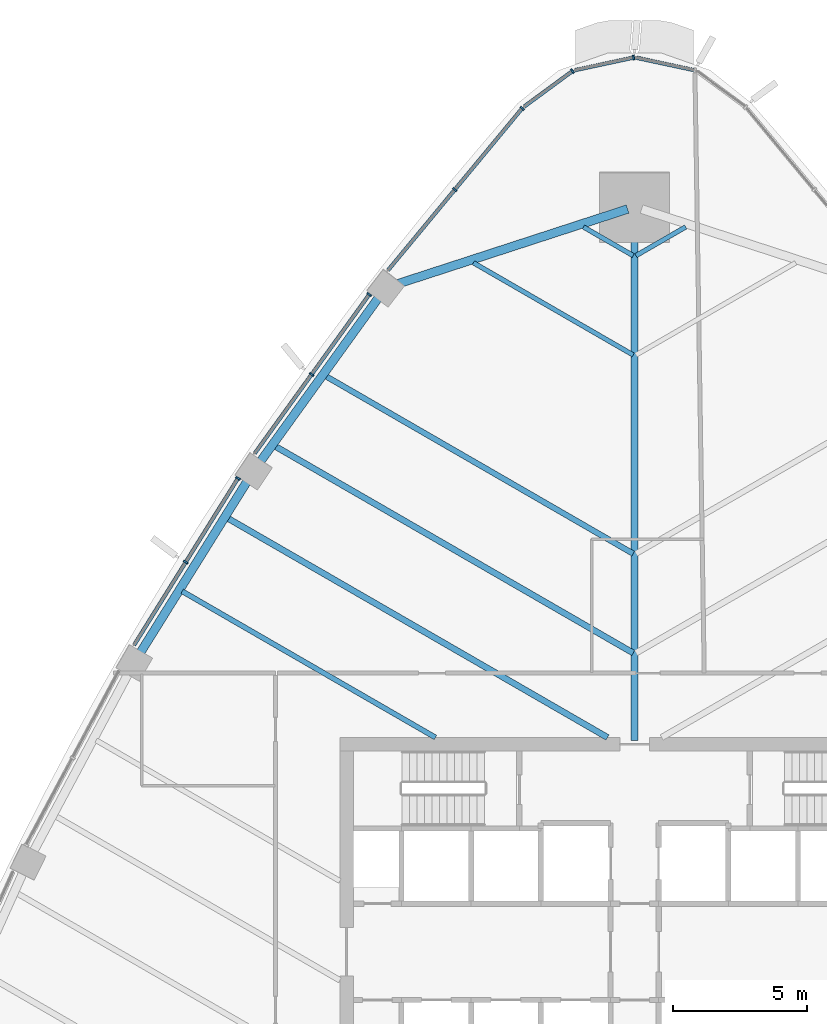
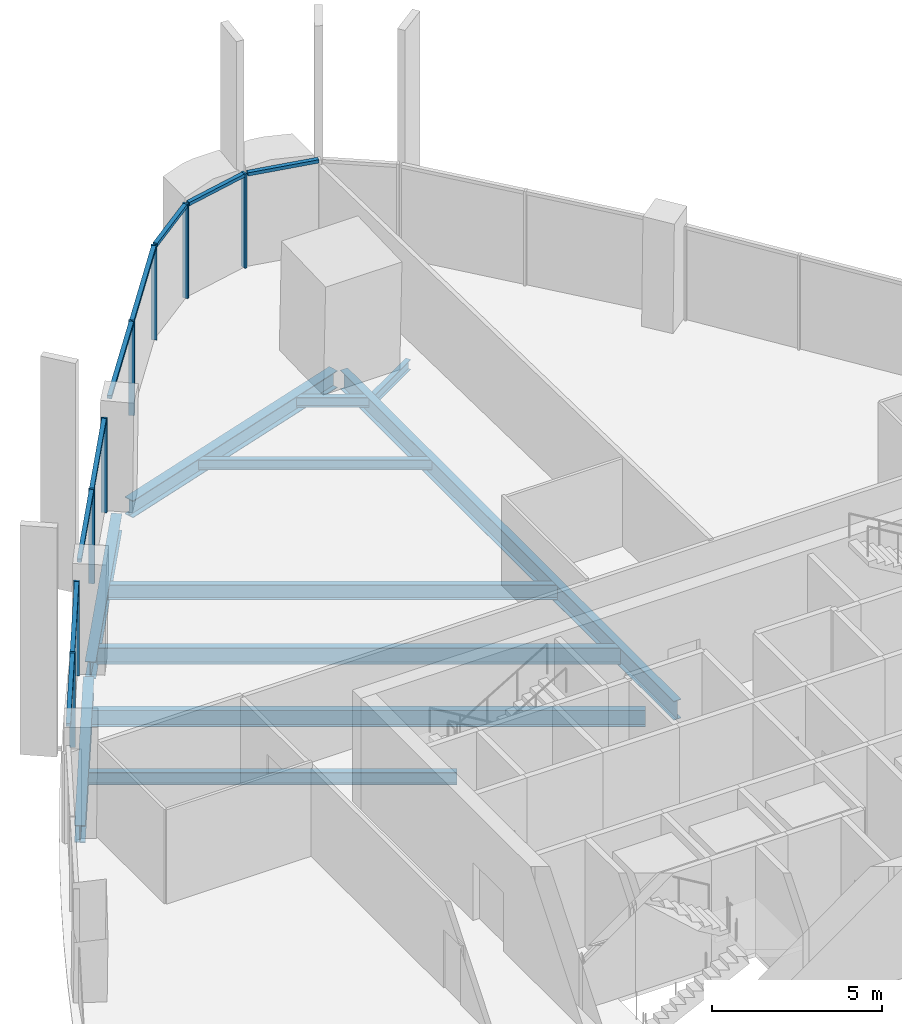
# One storey, part 6 of 20: 17 members, 11 beams, 6 elements without a shape of their own.
"""IFC4 building model written with IfcOpenShell, lengths in metres."""

from ifc_helpers import new_model, si_unit, direction, frame, origin, origin_2d, place, context, subcontext, project, spatial, rectangle, i_section, extrude, material, layer, layer_set, material_profile, profile_set, type_object, element, aggregate, save


model = new_model("IFC4")

# Units and contexts
model_context = context("Model", 3, precision=1e-05, world=origin(), true_north=direction((0.0, 1.0)))
body_context = subcontext(model_context, "Body", "Model", "MODEL_VIEW")
ifc_project = project(units=[si_unit("LENGTHUNIT", "METRE"), si_unit("AREAUNIT", "SQUARE_METRE"), si_unit("VOLUMEUNIT", "CUBIC_METRE"), si_unit("PLANEANGLEUNIT", "RADIAN"), si_unit("MASSUNIT", "GRAM", prefix="KILO")], contexts=[model_context])

# Site, building, storey
site_placement = place(None, origin())
site = spatial("IfcSite", under=ifc_project, at=site_placement, CompositionType="ELEMENT")
building_placement = place(site_placement, origin())
building = spatial("IfcBuilding", under=site, at=building_placement, Name="Sierra Prisma Convention Tower", CompositionType="ELEMENT")
storey_placement = place(building_placement, frame((0.0, 0.0, 161.800048828125)))
storey = spatial("IfcBuildingStorey", under=building, at=storey_placement, Name="L35", CompositionType="ELEMENT", Elevation=161.800048828125)

# Curtain wall, member
ifc_material_1 = material(Name="Aluminium and glass curtain wall", Category="aluminium")
ifc_layer = layer(ifc_material_1, 0.179931640625)
ifc_layer_set = layer_set([ifc_layer], Name="CW-1 Plain shaft curtain wall")
curtain_wall_type = type_object("IfcCurtainWallType", Name="CW-1 Plain shaft curtain wall", PredefinedType="NOTDEFINED", material=ifc_layer_set)
curtain_wall_1_placement = place(storey_placement, origin())
curtain_wall_1 = element("IfcCurtainWall", 1, at=curtain_wall_1_placement, inside=storey, type_object=curtain_wall_type, Name="CW-1 N3 L35", PredefinedType="NOTDEFINED")
ifc_material_2 = material(Name="Aluminium 6063-T6 bronze anodised", Category="aluminium")
ifc_material_profile_1 = material_profile(ifc_material_2, rectangle(XDim=0.179931640625, YDim=0.070068359375, at=origin_2d()), Name="ALU MULLION 70x180")
ifc_profile_set_1 = profile_set([ifc_material_profile_1], Name="Aluminium 6063-T6 bronze anodised")
member_type_1 = type_object("IfcMemberType", Name="CW mullion bronze", PredefinedType="MULLION", material=ifc_profile_set_1)
member_1_placement = place(storey_placement, frame((-0.0341796875, 33.380859375, 0.0), z_axis=(0.0, 0.0, 1.0), x_axis=(0.209728065473, -0.977759755028, 0.0)))
member_1 = element("IfcMember", 2, at=member_1_placement, type_object=member_type_1, Name="CW-1 mullion N3.1", PredefinedType="MULLION", context=body_context, shape_type="SweptSolid", body=[
    extrude(rectangle(XDim=0.179931640625, YDim=0.070068359375, at=origin_2d()), origin(), (0.0, 0.0, 1.0), 3.39990234375),
])

curtain_wall_2_placement = place(storey_placement, origin())
curtain_wall_2 = element("IfcCurtainWall", 3, at=curtain_wall_2_placement, inside=storey, type_object=curtain_wall_type, Name="CW-1 N4 L35", PredefinedType="NOTDEFINED")
member_2_placement = place(storey_placement, frame((-2.316162109375, 32.876708984375, 0.0), z_axis=(0.0, 0.0, 1.0), x_axis=(0.592283917888, -0.805729334585, 0.0)))
member_2 = element("IfcMember", 4, at=member_2_placement, type_object=member_type_1, Name="CW-1 mullion N4.1", PredefinedType="MULLION", context=body_context, shape_type="SweptSolid", body=[
    extrude(rectangle(XDim=0.179931640625, YDim=0.070068359375, at=origin_2d()), origin(), (0.0, 0.0, 1.0), 3.39990234375),
])

# Curtain wall, members
curtain_wall_3_placement = place(storey_placement, origin())
curtain_wall_3 = element("IfcCurtainWall", 5, at=curtain_wall_3_placement, inside=storey, type_object=curtain_wall_type, Name="CW-1 NW1 L35", PredefinedType="NOTDEFINED")
member_3_placement = place(storey_placement, frame((-4.195556640625, 31.484619140625, 0.0), z_axis=(0.0, 0.0, 1.0), x_axis=(0.770009280332, -0.638032685842, 0.0)))
member_3 = element("IfcMember", 6, at=member_3_placement, type_object=member_type_1, Name="CW-1 mullion NW1.1", PredefinedType="MULLION", context=body_context, shape_type="SweptSolid", body=[
    extrude(rectangle(XDim=0.179931640625, YDim=0.070068359375, at=origin_2d()), origin(), (0.0, 0.0, 1.0), 3.39990234375),
])
member_4_placement = place(storey_placement, frame((-6.711669921875, 28.447998046875, 0.0), z_axis=(0.0, 0.0, 1.0), x_axis=(0.770009280332, -0.638032685842, 0.0)))
member_4 = element("IfcMember", 7, at=member_4_placement, type_object=member_type_1, Name="CW-1 mullion NW1.2", PredefinedType="MULLION", context=body_context, shape_type="SweptSolid", body=[
    extrude(rectangle(XDim=0.179931640625, YDim=0.070068359375, at=origin_2d()), origin(), (0.0, 0.0, 1.0), 3.39990234375),
])

curtain_wall_4_placement = place(storey_placement, origin())
curtain_wall_4 = element("IfcCurtainWall", 8, at=curtain_wall_4_placement, inside=storey, type_object=curtain_wall_type, Name="CW-1 NW2 L35", PredefinedType="NOTDEFINED")
member_5_placement = place(storey_placement, frame((-9.907958984375, 24.529541015625, 0.0), z_axis=(0.0, 0.0, 1.0), x_axis=(0.811194819784, -0.584775995024, 0.0)))
member_5 = element("IfcMember", 9, at=member_5_placement, type_object=member_type_1, Name="CW-1 mullion NW2.1", PredefinedType="MULLION", context=body_context, shape_type="SweptSolid", body=[
    extrude(rectangle(XDim=0.179931640625, YDim=0.070068359375, at=origin_2d()), origin(), (0.0, 0.0, 1.0), 3.39990234375),
])
member_6_placement = place(storey_placement, frame((-12.0546875, 21.551513671875, 0.0), z_axis=(0.0, 0.0, 1.0), x_axis=(0.811194819784, -0.584775995024, 0.0)))
member_6 = element("IfcMember", 10, at=member_6_placement, type_object=member_type_1, Name="CW-1 mullion NW2.2", PredefinedType="MULLION", context=body_context, shape_type="SweptSolid", body=[
    extrude(rectangle(XDim=0.179931640625, YDim=0.070068359375, at=origin_2d()), origin(), (0.0, 0.0, 1.0), 3.39990234375),
])

curtain_wall_5_placement = place(storey_placement, origin())
curtain_wall_5 = element("IfcCurtainWall", 11, at=curtain_wall_5_placement, inside=storey, type_object=curtain_wall_type, Name="CW-1 NW3 L35", PredefinedType="NOTDEFINED")
member_7_placement = place(storey_placement, frame((-14.803955078125, 17.6748046875, 0.0), z_axis=(0.0, 0.0, 1.0), x_axis=(0.848703599418, -0.528868793119, 0.0)))
member_7 = element("IfcMember", 12, at=member_7_placement, type_object=member_type_1, Name="CW-1 mullion NW3.1", PredefinedType="MULLION", context=body_context, shape_type="SweptSolid", body=[
    extrude(rectangle(XDim=0.179931640625, YDim=0.070068359375, at=origin_2d()), origin(), (0.0, 0.0, 1.0), 3.39990234375),
])
member_8_placement = place(storey_placement, frame((-16.754150390625, 14.54541015625, 0.0), z_axis=(0.0, 0.0, 1.0), x_axis=(0.848703599418, -0.528868793119, 0.0)))
member_8 = element("IfcMember", 13, at=member_8_placement, type_object=member_type_1, Name="CW-1 mullion NW3.2", PredefinedType="MULLION", context=body_context, shape_type="SweptSolid", body=[
    extrude(rectangle(XDim=0.179931640625, YDim=0.070068359375, at=origin_2d()), origin(), (0.0, 0.0, 1.0), 3.39990234375),
])

# Curtain wall, member
curtain_wall_6_placement = place(storey_placement, origin())
curtain_wall_6 = element("IfcCurtainWall", 14, at=curtain_wall_6_placement, inside=storey, type_object=curtain_wall_type, Name="CW-1 N2 L35", PredefinedType="NOTDEFINED")
ifc_material_3 = material(Name="Aluminium 6063-T6 bronze anodised", Category="aluminium")
ifc_material_profile_2 = material_profile(ifc_material_3, rectangle(XDim=0.139892578125, YDim=0.1201171875, at=origin_2d()), Name="ALU TRANSOM 120x140")
ifc_profile_set_2 = profile_set([ifc_material_profile_2], Name="Aluminium 6063-T6 bronze anodised")
member_type_2 = type_object("IfcMemberType", Name="CW transom bronze", PredefinedType="USERDEFINED", material=ifc_profile_set_2)
member_9_placement = place(storey_placement, frame((2.219482421875, 32.912109375, 3.33984375), z_axis=(-0.977758545901, 0.209733702389, 0.0), x_axis=(-0.209733702389, -0.977758545901, 0.0)))
member_9 = element("IfcMember", 15, at=member_9_placement, type_object=member_type_2, Name="CW-1 transom N2.1", ObjectType="TRANSOM", PredefinedType="USERDEFINED", context=body_context, shape_type="SweptSolid", body=[
    extrude(rectangle(XDim=0.139892578125, YDim=0.1201171875, at=origin_2d()), origin(), (0.0, 0.0, 1.0), 2.199951171875),
])
aggregate(curtain_wall_6, [member_9])

# Member
member_10_placement = place(storey_placement, frame((-0.068359375, 33.37353515625, 3.33984375), z_axis=(-0.977758545901, -0.209733702389, 0.0), x_axis=(0.209733702389, -0.977758545901, 0.0)))
member_10 = element("IfcMember", 16, at=member_10_placement, type_object=member_type_2, Name="CW-1 transom N3.1", ObjectType="TRANSOM", PredefinedType="USERDEFINED", context=body_context, shape_type="SweptSolid", body=[
    extrude(rectangle(XDim=0.139892578125, YDim=0.1201171875, at=origin_2d()), origin(), (0.0, 0.0, 1.0), 2.199951171875),
])

aggregate(curtain_wall_1, [member_1, member_10])

member_11_placement = place(storey_placement, frame((-2.34423828125, 32.85595703125, 3.33984375), z_axis=(-0.805755365815, -0.592248503974, 0.0), x_axis=(0.592248503974, -0.805755365815, 0.0)))
member_11 = element("IfcMember", 17, at=member_11_placement, type_object=member_type_2, Name="CW-1 transom N4.1", ObjectType="TRANSOM", PredefinedType="USERDEFINED", context=body_context, shape_type="SweptSolid", body=[
    extrude(rectangle(XDim=0.139892578125, YDim=0.1201171875, at=origin_2d()), origin(), (0.0, 0.0, 1.0), 2.199951171875),
])

aggregate(curtain_wall_2, [member_2, member_11])

member_12_placement = place(storey_placement, frame((-4.218017578125, 31.45751953125, 3.33984375), z_axis=(-0.638061643641, -0.769985284868, 0.0), x_axis=(0.769985284868, -0.638061643641, 0.0)))
member_12 = element("IfcMember", 18, at=member_12_placement, type_object=member_type_2, Name="CW-1 transom NW1.1", ObjectType="TRANSOM", PredefinedType="USERDEFINED", context=body_context, shape_type="SweptSolid", body=[
    extrude(rectangle(XDim=0.139892578125, YDim=0.1201171875, at=origin_2d()), origin(), (0.0, 0.0, 1.0), 3.873291015625),
])

member_13_placement = place(storey_placement, frame((-6.73388671875, 28.421142578125, 3.33984375), z_axis=(-0.638030677676, -0.770010944302, 0.0), x_axis=(0.770010944302, -0.638030677676, 0.0)))
member_13 = element("IfcMember", 19, at=member_13_placement, type_object=member_type_2, Name="CW-1 transom NW1.2", ObjectType="TRANSOM", PredefinedType="USERDEFINED", context=body_context, shape_type="SweptSolid", body=[
    extrude(rectangle(XDim=0.139892578125, YDim=0.1201171875, at=origin_2d()), origin(), (0.0, 0.0, 1.0), 3.87353515625),
])

aggregate(curtain_wall_3, [member_3, member_4, member_12, member_13])

member_14_placement = place(storey_placement, frame((-9.928466796875, 24.5009765625, 3.33984375), z_axis=(-0.584804687696, -0.811174134973, 0.0), x_axis=(0.811174134973, -0.584804687696, 0.0)))
member_14 = element("IfcMember", 20, at=member_14_placement, type_object=member_type_2, Name="CW-1 transom NW2.1", ObjectType="TRANSOM", PredefinedType="USERDEFINED", context=body_context, shape_type="SweptSolid", body=[
    extrude(rectangle(XDim=0.139892578125, YDim=0.1201171875, at=origin_2d()), origin(), (0.0, 0.0, 1.0), 3.60107421875),
])

member_15_placement = place(storey_placement, frame((-12.0751953125, 21.523193359375, 3.33984375), z_axis=(-0.584772528243, -0.811197318914, 0.0), x_axis=(0.811197318914, -0.584772528243, 0.0)))
member_15 = element("IfcMember", 21, at=member_15_placement, type_object=member_type_2, Name="CW-1 transom NW2.2", ObjectType="TRANSOM", PredefinedType="USERDEFINED", context=body_context, shape_type="SweptSolid", body=[
    extrude(rectangle(XDim=0.139892578125, YDim=0.1201171875, at=origin_2d()), origin(), (0.0, 0.0, 1.0), 3.601318359375),
])

aggregate(curtain_wall_4, [member_5, member_6, member_14, member_15])

member_16_placement = place(storey_placement, frame((-14.822509765625, 17.64501953125, 3.33984375), z_axis=(-0.528894295571, -0.848687707059, 0.0), x_axis=(0.848687707059, -0.528894295571, 0.0)))
member_16 = element("IfcMember", 22, at=member_16_placement, type_object=member_type_2, Name="CW-1 transom NW3.1", ObjectType="TRANSOM", PredefinedType="USERDEFINED", context=body_context, shape_type="SweptSolid", body=[
    extrude(rectangle(XDim=0.139892578125, YDim=0.1201171875, at=origin_2d()), origin(), (0.0, 0.0, 1.0), 3.6171875),
])

member_17_placement = place(storey_placement, frame((-16.7724609375, 14.515869140625, 3.33984375), z_axis=(-0.528864000554, -0.848706585881, 0.0), x_axis=(0.848706585881, -0.528864000554, 0.0)))
member_17 = element("IfcMember", 23, at=member_17_placement, type_object=member_type_2, Name="CW-1 transom NW3.2", ObjectType="TRANSOM", PredefinedType="USERDEFINED", context=body_context, shape_type="SweptSolid", body=[
    extrude(rectangle(XDim=0.139892578125, YDim=0.1201171875, at=origin_2d()), origin(), (0.0, 0.0, 1.0), 3.617431640625),
])

aggregate(curtain_wall_5, [member_7, member_8, member_16, member_17])

# Beams
ifc_material_4 = material(Name="Steel ASTM A992 Gr 50", Category="steel")
ifc_material_profile_3 = material_profile(ifc_material_4, i_section(OverallWidth=0.172119140625, OverallDepth=0.35791015625, WebThickness=0.0078125, FlangeThickness=0.01318359375, at=origin_2d()), Name="W360x57")
ifc_profile_set_3 = profile_set([ifc_material_profile_3], Name="Steel ASTM A992 Gr 50")
beam_type_1 = type_object("IfcBeamType", Name="Floor joist W360x57", PredefinedType="JOIST", material=ifc_profile_set_3)
for number, where, z_axis, x_axis, name in (
    (24, (1.90771484375, 27.05712890625, -0.3291015625), (-0.866041483742, -0.499972147661, 0.0), (0.499972147661, -0.866041483742, 0.0), "Floor joist L35 NE15"),
    (25, (-1.90771484375, 27.05712890625, -0.3291015625), (0.866041483742, -0.499972147661, 0.0), (0.499972147661, 0.866041483742, 0.0), "Floor joist L35 NW01"),
):
    element("IfcBeam", number, at=place(storey_placement, frame(where, z_axis=z_axis, x_axis=x_axis)), inside=storey, type_object=beam_type_1, Name=name, PredefinedType="JOIST", context=body_context, shape_type="SweptSolid", body=[
        extrude(i_section(OverallWidth=0.172119140625, OverallDepth=0.35791015625, WebThickness=0.0078125, FlangeThickness=0.01318359375, at=origin_2d()), origin(), (0.0, 0.0, 1.0), 2.14404296875),
    ])
beam_1_placement = place(storey_placement, frame((-6.014892578125, 25.720458984375, -0.3291015625), z_axis=(0.866026781132, -0.499997614356, 0.0), x_axis=(0.499997614356, 0.866026781132, 0.0)))
element("IfcBeam", 26, at=beam_1_placement, inside=storey, type_object=beam_type_1, Name="Floor joist L35 NW02", PredefinedType="JOIST", context=body_context, shape_type="SweptSolid", body=[
    extrude(i_section(OverallWidth=0.172119140625, OverallDepth=0.35791015625, WebThickness=0.0078125, FlangeThickness=0.01318359375, at=origin_2d()), origin(), (0.0, 0.0, 1.0), 6.88671875),
])
ifc_material_5 = material(Name="Steel ASTM A992 Gr 50", Category="steel")
ifc_material_profile_4 = material_profile(ifc_material_5, i_section(OverallWidth=0.18994140625, OverallDepth=0.45703125, WebThickness=0.009033203125, FlangeThickness=0.014404296875, at=origin_2d()), Name="W460x74")
ifc_profile_set_4 = profile_set([ifc_material_profile_4], Name="Steel ASTM A992 Gr 50")
beam_type_2 = type_object("IfcBeamType", Name="Floor joist W460x74", PredefinedType="JOIST", material=ifc_profile_set_4)
beam_2_placement = place(storey_placement, frame((-16.88720703125, 13.457763671875, -0.378662109375), z_axis=(0.866025427251, -0.499999959354, 0.0), x_axis=(0.499999959354, 0.866025427251, 0.0)))
element("IfcBeam", 27, at=beam_2_placement, inside=storey, type_object=beam_type_2, Name="Floor joist L35 NW07", PredefinedType="JOIST", context=body_context, shape_type="SweptSolid", body=[
    extrude(i_section(OverallWidth=0.18994140625, OverallDepth=0.45703125, WebThickness=0.009033203125, FlangeThickness=0.014404296875, at=origin_2d()), origin(), (0.0, 0.0, 1.0), 10.91552734375),
])
ifc_material_6 = material(Name="Steel ASTM A992 Gr 50", Category="steel")
ifc_material_profile_5 = material_profile(ifc_material_6, i_section(OverallWidth=0.208984375, OverallDepth=0.532958984375, WebThickness=0.01025390625, FlangeThickness=0.015625, at=origin_2d()), Name="W530x92")
ifc_profile_set_5 = profile_set([ifc_material_profile_5], Name="Steel ASTM A992 Gr 50")
beam_type_3 = type_object("IfcBeamType", Name="Floor joist W530x92", PredefinedType="JOIST", material=ifc_profile_set_5)
beam_3_placement = place(storey_placement, frame((-11.530029296875, 21.488525390625, -0.41650390625), z_axis=(0.866028851642, -0.499994028088, 0.0), x_axis=(0.499994028088, 0.866028851642, 0.0)))
element("IfcBeam", 28, at=beam_3_placement, inside=storey, type_object=beam_type_3, Name="Floor joist L35 NW04", PredefinedType="JOIST", context=body_context, shape_type="SweptSolid", body=[
    extrude(i_section(OverallWidth=0.208984375, OverallDepth=0.532958984375, WebThickness=0.01025390625, FlangeThickness=0.015625, at=origin_2d()), origin(), (0.0, 0.0, 1.0), 13.255126953125),
])
ifc_material_7 = material(Name="Steel ASTM A992 Gr 50", Category="steel")
ifc_material_profile_6 = material_profile(ifc_material_7, i_section(OverallWidth=0.22802734375, OverallDepth=0.60302734375, WebThickness=0.010498046875, FlangeThickness=0.014892578125, at=origin_2d()), Name="W610x101")
ifc_profile_set_6 = profile_set([ifc_material_profile_6], Name="Steel ASTM A992 Gr 50")
beam_type_4 = type_object("IfcBeamType", Name="Floor joist W610x101", PredefinedType="JOIST", material=ifc_profile_set_6)
beam_4_placement = place(storey_placement, frame((-13.41748046875, 18.870361328125, -0.45166015625), z_axis=(0.866024905415, -0.5000008632, 0.0), x_axis=(0.5000008632, 0.866024905415, 0.0)))
element("IfcBeam", 29, at=beam_4_placement, inside=storey, type_object=beam_type_4, Name="Floor joist L35 NW05", PredefinedType="JOIST", context=body_context, shape_type="SweptSolid", body=[
    extrude(i_section(OverallWidth=0.22802734375, OverallDepth=0.60302734375, WebThickness=0.010498046875, FlangeThickness=0.014892578125, at=origin_2d()), origin(), (0.0, 0.0, 1.0), 15.4345703125),
])
beam_5_placement = place(storey_placement, frame((-15.18798828125, 16.1845703125, -0.45166015625), z_axis=(0.86602812093, -0.499995293736, 0.0), x_axis=(0.499995293736, 0.86602812093, 0.0)))
element("IfcBeam", 30, at=beam_5_placement, inside=storey, type_object=beam_type_4, Name="Floor joist L35 NW06", PredefinedType="JOIST", context=body_context, shape_type="SweptSolid", body=[
    extrude(i_section(OverallWidth=0.22802734375, OverallDepth=0.60302734375, WebThickness=0.010498046875, FlangeThickness=0.014892578125, at=origin_2d()), origin(), (0.0, 0.0, 1.0), 16.369384765625),
])
ifc_material_8 = material(Name="Steel ASTM A992 Gr 50", Category="steel")
ifc_material_profile_7 = material_profile(ifc_material_8, i_section(OverallWidth=0.25390625, OverallDepth=0.68408203125, WebThickness=0.012451171875, FlangeThickness=0.018798828125, at=origin_2d()), Name="W690x140")
ifc_profile_set_7 = profile_set([ifc_material_profile_7], Name="Steel ASTM A992 Gr 50")
beam_type_5 = type_object("IfcBeamType", Name="Radial girder W690x140", PredefinedType="BEAM", material=ifc_profile_set_7)
beam_6_placement = place(storey_placement, frame((0.0, 27.549560546875, -0.491943359375), z_axis=(0.0, -1.0, 0.0), x_axis=(1.0, 0.0, 0.0)))
element("IfcBeam", 31, at=beam_6_placement, inside=storey, type_object=beam_type_5, Name="Radial girder L35 N", PredefinedType="BEAM", context=body_context, shape_type="SweptSolid", body=[
    extrude(i_section(OverallWidth=0.25390625, OverallDepth=0.68408203125, WebThickness=0.012451171875, FlangeThickness=0.018798828125, at=origin_2d()), origin(), (0.0, 0.0, 1.0), 19.669677734375),
])
ifc_material_9 = material(Name="Steel ASTM A992 Gr 50", Category="steel")
ifc_material_profile_8 = material_profile(ifc_material_9, i_section(OverallWidth=0.324951171875, OverallDepth=0.615966796875, WebThickness=0.013916015625, FlangeThickness=0.021484375, at=origin_2d()), Name="W610x174")
ifc_profile_set_8 = profile_set([ifc_material_profile_8], Name="Steel ASTM A992 Gr 50")
beam_type_6 = type_object("IfcBeamType", Name="Spandrel beam W610x174", PredefinedType="BEAM", material=ifc_profile_set_8)
beam_7_placement = place(storey_placement, frame((-0.260009765625, 27.72509765625, -0.4580078125), z_axis=(-0.950912774055, -0.309459037901, 0.0), x_axis=(0.309459037901, -0.950912774055, 0.0)))
element("IfcBeam", 32, at=beam_7_placement, inside=storey, type_object=beam_type_6, Name="Spandrel L35-13", PredefinedType="BEAM", context=body_context, shape_type="SweptSolid", body=[
    extrude(i_section(OverallWidth=0.324951171875, OverallDepth=0.615966796875, WebThickness=0.013916015625, FlangeThickness=0.021484375, at=origin_2d()), origin(), (0.0, 0.0, 1.0), 9.013427734375),
])
for number, where, z_axis, x_axis, name in (
    (33, (-9.5146484375, 24.47705078125, -0.4580078125), (-0.58477236026, -0.811197440008, 0.0), (0.811197440008, -0.58477236026, 0.0), "Spandrel L35-14"),
    (34, (-14.4248046875, 17.621826171875, -0.4580078125), (-0.528862992652, -0.848707213946, 0.0), (0.848707213946, -0.528862992652, 0.0), "Spandrel L35-15"),
):
    element("IfcBeam", number, at=place(storey_placement, frame(where, z_axis=z_axis, x_axis=x_axis)), inside=storey, type_object=beam_type_6, Name=name, PredefinedType="BEAM", context=body_context, shape_type="SweptSolid", body=[
        extrude(i_section(OverallWidth=0.324951171875, OverallDepth=0.615966796875, WebThickness=0.013916015625, FlangeThickness=0.021484375, at=origin_2d()), origin(), (0.0, 0.0, 1.0), 7.6728515625),
    ])

save(model, "model.ifc")
